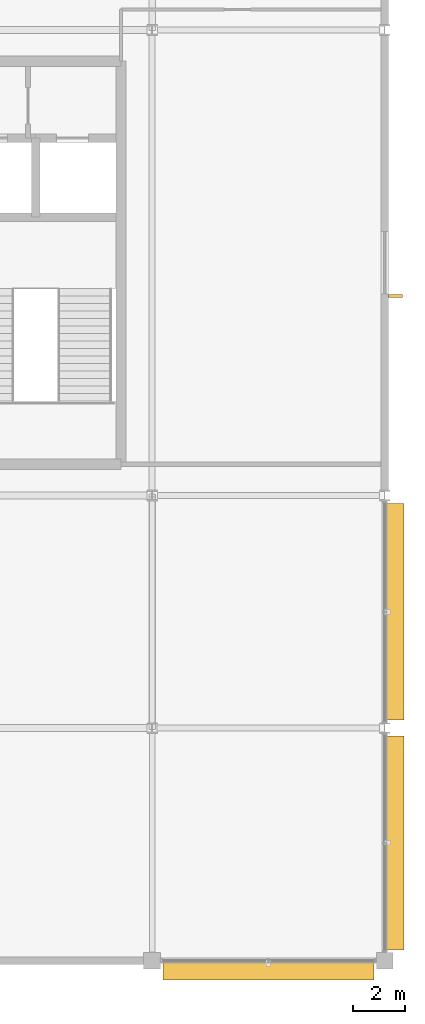
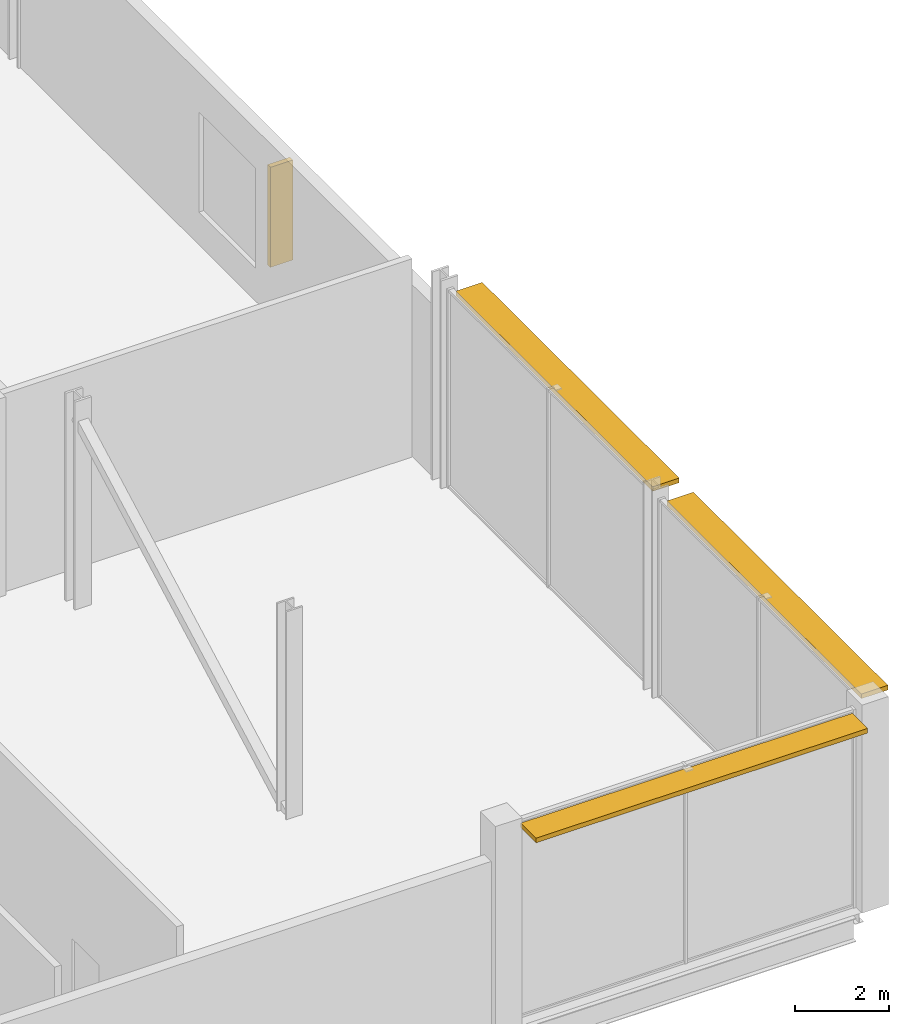
# One storey, part 109 of 113: 4 shading devices.
"""IFC4 building model written with IfcOpenShell, lengths in metres."""

from ifc_helpers import new_model, si_unit, direction, frame, origin, origin_2d, place, context, subcontext, project, spatial, rectangle, extrude, material, type_object, element, save


model = new_model("IFC4")

# Units and contexts
model_context = context("Model", 3, precision=1e-05, world=origin(), true_north=direction((0.0, 1.0)))
body_context = subcontext(model_context, "Body", "Model", "MODEL_VIEW")
ifc_project = project(units=[si_unit("LENGTHUNIT", "METRE"), si_unit("AREAUNIT", "SQUARE_METRE"), si_unit("VOLUMEUNIT", "CUBIC_METRE"), si_unit("PLANEANGLEUNIT", "RADIAN"), si_unit("MASSUNIT", "GRAM", prefix="KILO")], contexts=[model_context])

# Site, building, storey
site_placement = place(None, origin())
site = spatial("IfcSite", under=ifc_project, at=site_placement, CompositionType="ELEMENT")
building_placement = place(site_placement, origin())
building = spatial("IfcBuilding", under=site, at=building_placement, Name="Kisiwana Market Hall", CompositionType="ELEMENT")
storey_placement = place(building_placement, frame((0.0, 0.0, 6.0)))
storey = spatial("IfcBuildingStorey", under=building, at=storey_placement, Name="L01", CompositionType="ELEMENT", Elevation=6.0)

# Shading devices
ifc_material_1 = material(Name="Aluminium alloy 6063-T6", Category="aluminium")
shading_device_type_1 = type_object("IfcShadingDeviceType", Name="SHD-JALOUSIE-H", PredefinedType="JALOUSIE", material=ifc_material_1)
shading_device_1_placement = place(storey_placement, frame((193.5, -0.419921875, 4.969970703125), z_axis=(0.0, 0.0, 1.0), x_axis=(1.0, 0.0, 0.0)))
element("IfcShadingDevice", 1, at=shading_device_1_placement, inside=storey, type_object=shading_device_type_1, Name="Aluminium brise-soleil louvre SHD-019 SD-019", PredefinedType="JALOUSIE", context=body_context, shape_type="SweptSolid", body=[
    extrude(rectangle(XDim=8.14990234375, YDim=0.64990234375, at=origin_2d()), origin(), (0.0, 0.0, 1.0), 0.1201171875),
])
shading_device_2_placement = place(storey_placement, frame((198.419921875, 4.560791015625, 4.969970703125), z_axis=(0.0, 0.0, 1.0), x_axis=(0.0, 1.0, 0.0)))
element("IfcShadingDevice", 2, at=shading_device_2_placement, inside=storey, type_object=shading_device_type_1, Name="Aluminium brise-soleil louvre SHD-033 SD-033", PredefinedType="JALOUSIE", context=body_context, shape_type="SweptSolid", body=[
    extrude(rectangle(XDim=8.271728515625, YDim=0.64990234375, at=origin_2d()), origin(), (0.0, 0.0, 1.0), 0.1201171875),
])
shading_device_3_placement = place(storey_placement, frame((198.419921875, 13.492919921875, 4.969970703125), z_axis=(0.0, 0.0, 1.0), x_axis=(0.0, 1.0, 0.0)))
element("IfcShadingDevice", 3, at=shading_device_3_placement, inside=storey, type_object=shading_device_type_1, Name="Aluminium brise-soleil louvre SHD-034 SD-034", PredefinedType="JALOUSIE", context=body_context, shape_type="SweptSolid", body=[
    extrude(rectangle(XDim=8.37939453125, YDim=0.64990234375, at=origin_2d()), origin(), (0.0, 0.0, 1.0), 0.1201171875),
])
ifc_material_2 = material(Name="Aluminium alloy 6063-T6", Category="aluminium")
shading_device_type_2 = type_object("IfcShadingDeviceType", Name="SHD-SHUTTER-V", PredefinedType="SHUTTER", material=ifc_material_2)
shading_device_4_placement = place(storey_placement, frame((198.419921875, 25.719970703125, 0.849853515625), z_axis=(0.0, 0.0, 1.0), x_axis=(0.0, 1.0, 0.0)))
element("IfcShadingDevice", 4, at=shading_device_4_placement, inside=storey, type_object=shading_device_type_2, Name="Vertical solar fin SHD-035 SD-035", PredefinedType="SHUTTER", context=body_context, shape_type="SweptSolid", body=[
    extrude(rectangle(XDim=0.1201171875, YDim=0.550048828125, at=origin_2d()), origin(), (0.0, 0.0, 1.0), 2.60009765625),
])

save(model, "model.ifc")
